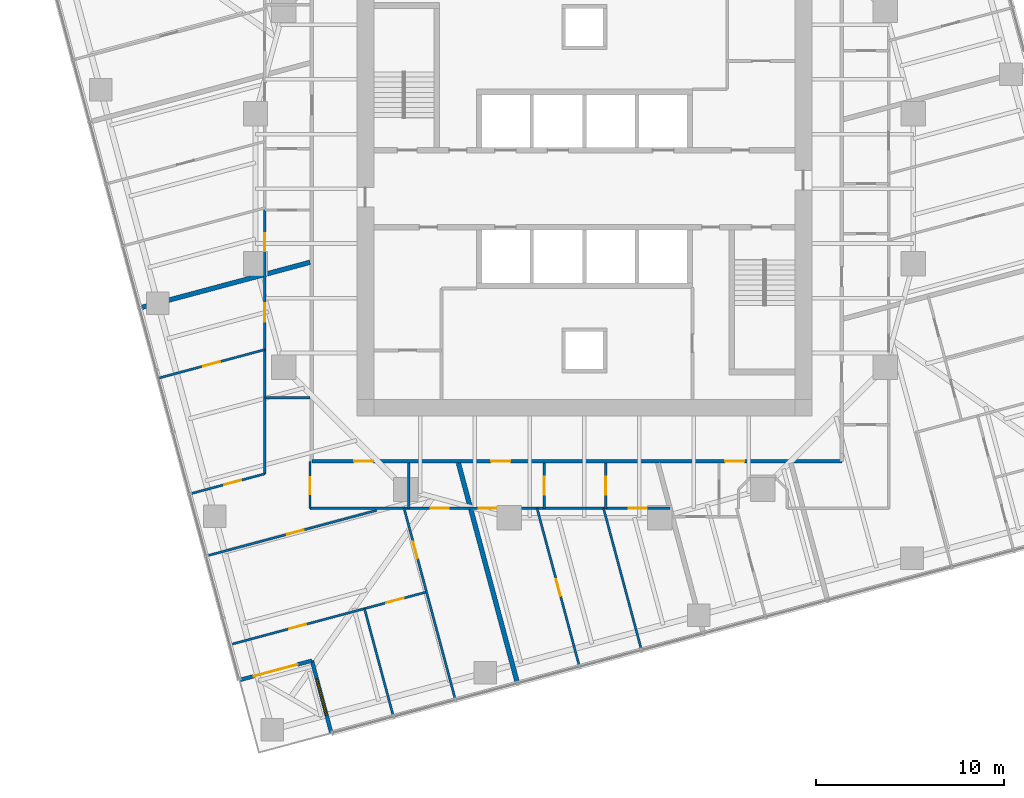
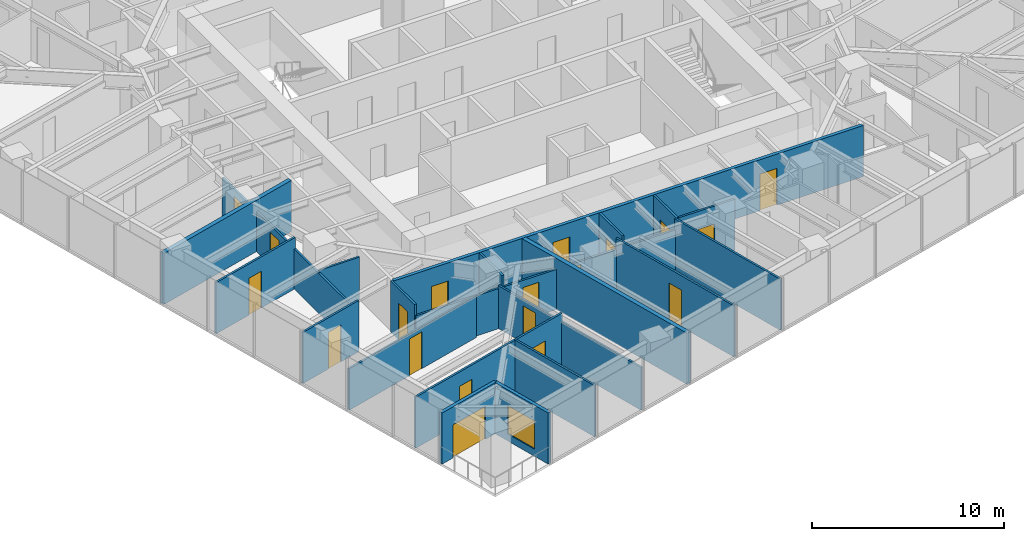
# One storey, part 8 of 14: 21 walls, 19 doors, 1 window, 20 openings.
"""IFC4 building model written with IfcOpenShell, lengths in metres."""

from ifc_helpers import new_model, si_unit, direction, frame, frame_2d, origin, place, context, subcontext, project, spatial, rectangle, extrude, material, layer, layer_set, type_object, element, fill, save


model = new_model("IFC4")

# Units and contexts
model_context = context("Model", 3, precision=1e-05, world=origin(), true_north=direction((0.0, 1.0)))
body_context = subcontext(model_context, "Body", "Model", "MODEL_VIEW")
ifc_project = project(units=[si_unit("LENGTHUNIT", "METRE"), si_unit("AREAUNIT", "SQUARE_METRE"), si_unit("VOLUMEUNIT", "CUBIC_METRE"), si_unit("PLANEANGLEUNIT", "RADIAN"), si_unit("MASSUNIT", "GRAM", prefix="KILO")], contexts=[model_context])

# Site, building, storey
site_placement = place(None, origin())
site = spatial("IfcSite", under=ifc_project, at=site_placement, CompositionType="ELEMENT")
building_placement = place(site_placement, origin())
building = spatial("IfcBuilding", under=site, at=building_placement, Name="Torsade Residences", CompositionType="ELEMENT")
storey_placement = place(building_placement, frame((0.0, 0.0, 128.60009765625)))
storey = spatial("IfcBuildingStorey", under=building, at=storey_placement, Name="L35", CompositionType="ELEMENT", Elevation=128.60009765625)

# Wall, openings, doors
ifc_material_1 = material(Name="Plasterboard on steel stud", Category="steel")
ifc_layer_1 = layer(ifc_material_1, 0.199951171875)
ifc_layer_set_1 = layer_set([ifc_layer_1], Name="Plasterboard on steel stud")
wall_type_1 = type_object("IfcWallType", Name="CORRIDOR WALL 200", PredefinedType="PARTITIONING", material=ifc_layer_set_1)
wall_1_placement = place(storey_placement, frame((25.5, 15.5, 0.0), z_axis=(0.0, 0.0, 1.0), x_axis=(1.0, 0.0, 0.0)))
wall_1 = element("IfcWall", 1, at=wall_1_placement, inside=storey, type_object=wall_type_1, Name="Corridor wall L35", PredefinedType="PARTITIONING", context=body_context, shape_type="SweptSolid", body=[
    extrude(rectangle(XDim=28.199951171875, YDim=0.199951171875, at=frame_2d((14.10009765625, 0.0))), origin(), (0.0, 0.0, 1.0), 3.25),
])
opening_1_placement = place(wall_1_placement, frame((2.244140625, 0.0, 0.0)))
opening_1 = element("IfcOpeningElement", 2, at=opening_1_placement, cuts=wall_1, Name="Opening D01L", PredefinedType="OPENING", context=body_context, shape_type="SweptSolid", body=[
    extrude(rectangle(XDim=1.02001953125, YDim=2.10009765625, at=frame_2d((0.510009765625, 1.050048828125))), frame((0.0, 0.10986328125, 0.0), z_axis=(0.0, -1.0, 0.0), x_axis=(1.0, 0.0, 0.0)), (0.0, 0.0, 1.0), 0.219970703125),
])
opening_2_placement = place(wall_1_placement, frame((9.542236328125, 0.0, 0.0)))
opening_2 = element("IfcOpeningElement", 3, at=opening_2_placement, cuts=wall_1, Name="Opening D01", PredefinedType="OPENING", context=body_context, shape_type="SweptSolid", body=[
    extrude(rectangle(XDim=1.02001953125, YDim=2.340087890625, at=frame_2d((0.510009765625, 1.169921875))), frame((0.0, 0.10986328125, 0.0), z_axis=(0.0, -1.0, 0.0), x_axis=(1.0, 0.0, 0.0)), (0.0, 0.0, 1.0), 0.219970703125),
])
opening_3_placement = place(wall_1_placement, frame((21.994384765625, 0.0, 0.0)))
opening_3 = element("IfcOpeningElement", 4, at=opening_3_placement, cuts=wall_1, Name="Opening D01", PredefinedType="OPENING", context=body_context, shape_type="SweptSolid", body=[
    extrude(rectangle(XDim=1.02001953125, YDim=2.340087890625, at=frame_2d((0.510009765625, 1.169921875))), frame((0.0, 0.10986328125, 0.0), z_axis=(0.0, -1.0, 0.0), x_axis=(1.0, 0.0, 0.0)), (0.0, 0.0, 1.0), 0.219970703125),
])
ifc_material_2 = material(Name="Solid-core timber fire door", Category="wood")
door_type_1 = type_object("IfcDoorType", Name="APARTMENT ENTRY DOOR 1020x2100", OperationType="NOTDEFINED", PredefinedType="DOOR", material=ifc_material_2)
door_1_placement = place(opening_1_placement, origin())
door_1 = element("IfcDoor", 5, at=door_1_placement, inside=storey, type_object=door_type_1, Name="Door Residential corridor to Kitchen and dining", OperationType="SINGLE_SWING_LEFT", OverallHeight=2.10009765625, OverallWidth=1.02001953125, PredefinedType="DOOR", context=body_context, shape_type="SweptSolid", body=[
    extrude(rectangle(XDim=1.02001953125, YDim=2.10009765625, at=frame_2d((0.510009765625, 1.050048828125))), frame((0.0, 0.02490234375, 0.0), z_axis=(0.0, -1.0, 0.0), x_axis=(1.0, 0.0, 0.0)), (0.0, 0.0, 1.0), 0.050048828125),
])
fill(opening_1, door_1)
ifc_material_3 = material(Name="Solid-core timber fire door", Category="wood")
door_type_2 = type_object("IfcDoorType", Name="APARTMENT ENTRY DOOR 1020x2340", OperationType="NOTDEFINED", PredefinedType="DOOR", material=ifc_material_3)
door_2_placement = place(opening_2_placement, origin())
door_2 = element("IfcDoor", 6, at=door_2_placement, inside=storey, type_object=door_type_2, Name="Door Residential corridor to Kitchen and dining", OperationType="SINGLE_SWING_LEFT", OverallHeight=2.340087890625, OverallWidth=1.02001953125, PredefinedType="DOOR", context=body_context, shape_type="SweptSolid", body=[
    extrude(rectangle(XDim=1.02001953125, YDim=2.340087890625, at=frame_2d((0.510009765625, 1.169921875))), frame((0.0, 0.02490234375, 0.0), z_axis=(0.0, -1.0, 0.0), x_axis=(1.0, 0.0, 0.0)), (0.0, 0.0, 1.0), 0.050048828125),
])
fill(opening_2, door_2)
door_3_placement = place(opening_3_placement, origin())
door_3 = element("IfcDoor", 7, at=door_3_placement, inside=storey, type_object=door_type_2, Name="Door Residential corridor to Kitchen and dining", OperationType="SINGLE_SWING_RIGHT", OverallHeight=2.340087890625, OverallWidth=1.02001953125, PredefinedType="DOOR", context=body_context, shape_type="SweptSolid", body=[
    extrude(rectangle(XDim=1.02001953125, YDim=2.340087890625, at=frame_2d((0.510009765625, 1.169921875))), frame((0.0, 0.02490234375, 0.0), z_axis=(0.0, -1.0, 0.0), x_axis=(1.0, 0.0, 0.0)), (0.0, 0.0, 1.0), 0.050048828125),
])
fill(opening_3, door_3)

# Wall
ifc_material_4 = material(Name="Plasterboard on steel stud", Category="steel")
ifc_layer_2 = layer(ifc_material_4, 0.1201171875)
ifc_layer_set_2 = layer_set([ifc_layer_2], Name="Plasterboard on steel stud")
wall_type_2 = type_object("IfcWallType", Name="PARTITION 120", PredefinedType="PARTITIONING", material=ifc_layer_set_2)
wall_2_placement = place(storey_placement, frame((30.658203125, 15.39990234375, 0.0), z_axis=(0.0, 0.0, 1.0), x_axis=(0.0, -1.0, 0.0)))
element("IfcWall", 8, at=wall_2_placement, inside=storey, type_object=wall_type_2, Name="Partition L35", PredefinedType="PARTITIONING", context=body_context, shape_type="SweptSolid", body=[
    extrude(rectangle(XDim=2.39990234375, YDim=0.1201171875, at=frame_2d((1.199951171875, 0.0))), origin(), (0.0, 0.0, 1.0), 3.25),
])

# Wall, openings, doors
wall_3_placement = place(storey_placement, frame((41.06982421875, 13.0, 0.0), z_axis=(0.0, 0.0, 1.0), x_axis=(-1.0, 0.0, 0.0)))
wall_3 = element("IfcWall", 9, at=wall_3_placement, inside=storey, type_object=wall_type_2, Name="Partition L35", PredefinedType="PARTITIONING", context=body_context, shape_type="SweptSolid", body=[
    extrude(rectangle(XDim=15.669921875, YDim=0.1201171875, at=frame_2d((7.8349609375, 0.0))), origin(), (0.0, 0.0, 1.0), 2.5498046875),
])
opening_4_placement = place(wall_3_placement, frame((5.771728515625, 0.0, 0.0)))
opening_4 = element("IfcOpeningElement", 10, at=opening_4_placement, cuts=wall_3, Name="Opening D02", PredefinedType="OPENING", context=body_context, shape_type="SweptSolid", body=[
    extrude(rectangle(XDim=0.919921875, YDim=2.340087890625, at=frame_2d((0.4599609375, 1.169921875))), frame((0.0, 0.070068359375, 0.0), z_axis=(0.0, -1.0, 0.0), x_axis=(1.0, 0.0, 0.0)), (0.0, 0.0, 1.0), 0.14013671875),
])
opening_5_placement = place(wall_3_placement, frame((8.288818359375, 0.0, 0.0)))
opening_5 = element("IfcOpeningElement", 11, at=opening_5_placement, cuts=wall_3, Name="Opening D05", PredefinedType="OPENING", context=body_context, shape_type="SweptSolid", body=[
    extrude(rectangle(XDim=0.9599609375, YDim=2.10009765625, at=frame_2d((0.47998046875, 1.050048828125))), frame((0.0, 0.070068359375, 0.0), z_axis=(0.0, -1.0, 0.0), x_axis=(1.0, 0.0, 0.0)), (0.0, 0.0, 1.0), 0.14013671875),
])
ifc_material_5 = material(Name="Hollow-core timber door in a steel cavity frame", Category="steel")
door_type_3 = type_object("IfcDoorType", Name="BATHROOM CAVITY SLIDING DOOR 960", OperationType="SLIDING_TO_LEFT", PredefinedType="DOOR", material=ifc_material_5)
door_4_placement = place(opening_5_placement, origin())
door_4 = element("IfcDoor", 12, at=door_4_placement, inside=storey, type_object=door_type_3, Name="Door Bedroom 2 to Ensuite", OperationType="SLIDING_TO_LEFT", OverallHeight=2.10009765625, OverallWidth=0.9599609375, PredefinedType="DOOR", context=body_context, shape_type="SweptSolid", body=[
    extrude(rectangle(XDim=0.9599609375, YDim=2.10009765625, at=frame_2d((0.47998046875, 1.050048828125))), frame((0.0, 0.02490234375, 0.0), z_axis=(0.0, -1.0, 0.0), x_axis=(1.0, 0.0, 0.0)), (0.0, 0.0, 1.0), 0.050048828125),
])
fill(opening_5, door_4)
ifc_material_6 = material(Name="Hollow-core timber door", Category="wood")
door_type_4 = type_object("IfcDoorType", Name="INTERNAL DOOR 920x2340", OperationType="NOTDEFINED", PredefinedType="DOOR", material=ifc_material_6)
door_5_placement = place(opening_4_placement, origin())
door_5 = element("IfcDoor", 13, at=door_5_placement, inside=storey, type_object=door_type_4, Name="Door Kitchen and dining to Living room", OperationType="SINGLE_SWING_LEFT", OverallHeight=2.340087890625, OverallWidth=0.919921875, PredefinedType="DOOR", context=body_context, shape_type="SweptSolid", body=[
    extrude(rectangle(XDim=0.919921875, YDim=2.340087890625, at=frame_2d((0.4599609375, 1.169921875))), frame((0.0, 0.02490234375, 0.0), z_axis=(0.0, -1.0, 0.0), x_axis=(1.0, 0.0, 0.0)), (0.0, 0.0, 1.0), 0.050048828125),
])
fill(opening_4, door_5)

# Wall, opening, door
wall_4_placement = place(storey_placement, frame((25.39990234375, 13.0, 0.0), z_axis=(0.0, 0.0, 1.0), x_axis=(0.0, 1.0, 0.0)))
wall_4 = element("IfcWall", 14, at=wall_4_placement, inside=storey, type_object=wall_type_2, Name="Partition L35", PredefinedType="PARTITIONING", context=body_context, shape_type="SweptSolid", body=[
    extrude(rectangle(XDim=2.5, YDim=0.1201171875, at=frame_2d((1.25, 0.0))), origin(), (0.0, 0.0, 1.0), 3.25),
])
opening_6_placement = place(wall_4_placement, frame((0.739990234375, 0.0, 0.0)))
opening_6 = element("IfcOpeningElement", 15, at=opening_6_placement, cuts=wall_4, Name="Opening D02", PredefinedType="OPENING", context=body_context, shape_type="SweptSolid", body=[
    extrude(rectangle(XDim=0.919921875, YDim=2.340087890625, at=frame_2d((0.4599609375, 1.169921875))), frame((0.0, 0.070068359375, 0.0), z_axis=(0.0, -1.0, 0.0), x_axis=(1.0, 0.0, 0.0)), (0.0, 0.0, 1.0), 0.14013671875),
])
door_6_placement = place(opening_6_placement, origin())
door_6 = element("IfcDoor", 16, at=door_6_placement, inside=storey, type_object=door_type_4, Name="Door Kitchen and dining to Media room", OperationType="SINGLE_SWING_LEFT", OverallHeight=2.340087890625, OverallWidth=0.919921875, PredefinedType="DOOR", context=body_context, shape_type="SweptSolid", body=[
    extrude(rectangle(XDim=0.919921875, YDim=2.340087890625, at=frame_2d((0.4599609375, 1.169921875))), frame((0.0, 0.02490234375, 0.0), z_axis=(0.0, -1.0, 0.0), x_axis=(1.0, 0.0, 0.0)), (0.0, 0.0, 1.0), 0.050048828125),
])
fill(opening_6, door_6)

# Wall, openings, doors
wall_5_placement = place(storey_placement, frame((23.0, 14.833251953125, 0.0), z_axis=(0.0, 0.0, 1.0), x_axis=(0.0, 1.0, 0.0)))
wall_5 = element("IfcWall", 17, at=wall_5_placement, inside=storey, type_object=wall_type_2, Name="Partition L35", PredefinedType="PARTITIONING", context=body_context, shape_type="SweptSolid", body=[
    extrude(rectangle(XDim=14.034423828125, YDim=0.1201171875, at=frame_2d((7.01708984375, 0.0))), origin(), (0.0, 0.0, 1.0), 2.5498046875),
])
opening_7_placement = place(wall_5_placement, frame((11.843017578125, 0.0, 0.0)))
opening_7 = element("IfcOpeningElement", 18, at=opening_7_placement, cuts=wall_5, Name="Opening D05", PredefinedType="OPENING", context=body_context, shape_type="SweptSolid", body=[
    extrude(rectangle(XDim=0.9599609375, YDim=2.10009765625, at=frame_2d((0.47998046875, 1.050048828125))), frame((0.0, 0.070068359375, 0.0), z_axis=(0.0, -1.0, 0.0), x_axis=(1.0, 0.0, 0.0)), (0.0, 0.0, 1.0), 0.14013671875),
])
opening_8_placement = place(wall_5_placement, frame((8.10400390625, 0.0, 0.0)))
opening_8 = element("IfcOpeningElement", 19, at=opening_8_placement, cuts=wall_5, Name="Opening D05", PredefinedType="OPENING", context=body_context, shape_type="SweptSolid", body=[
    extrude(rectangle(XDim=0.9599609375, YDim=2.10009765625, at=frame_2d((0.47998046875, 1.050048828125))), frame((0.0, 0.070068359375, 0.0), z_axis=(0.0, -1.0, 0.0), x_axis=(1.0, 0.0, 0.0)), (0.0, 0.0, 1.0), 0.14013671875),
])
door_7_placement = place(opening_7_placement, origin())
door_7 = element("IfcDoor", 20, at=door_7_placement, inside=storey, type_object=door_type_3, Name="Door Ensuite to Bedroom 2", OperationType="SLIDING_TO_LEFT", OverallHeight=2.10009765625, OverallWidth=0.9599609375, PredefinedType="DOOR", context=body_context, shape_type="SweptSolid", body=[
    extrude(rectangle(XDim=0.9599609375, YDim=2.10009765625, at=frame_2d((0.47998046875, 1.050048828125))), frame((0.0, 0.02490234375, 0.0), z_axis=(0.0, -1.0, 0.0), x_axis=(1.0, 0.0, 0.0)), (0.0, 0.0, 1.0), 0.050048828125),
])
fill(opening_7, door_7)
door_8_placement = place(opening_8_placement, origin())
door_8 = element("IfcDoor", 21, at=door_8_placement, inside=storey, type_object=door_type_3, Name="Door Study to Ensuite 2", OperationType="SLIDING_TO_LEFT", OverallHeight=2.10009765625, OverallWidth=0.9599609375, PredefinedType="DOOR", context=body_context, shape_type="SweptSolid", body=[
    extrude(rectangle(XDim=0.9599609375, YDim=2.10009765625, at=frame_2d((0.47998046875, 1.050048828125))), frame((0.0, 0.02490234375, 0.0), z_axis=(0.0, -1.0, 0.0), x_axis=(1.0, 0.0, 0.0)), (0.0, 0.0, 1.0), 0.050048828125),
])
fill(opening_8, door_8)

# Wall
wall_6_placement = place(storey_placement, frame((25.39990234375, 18.88037109375, 0.0), z_axis=(0.0, 0.0, 1.0), x_axis=(-1.0, 0.0, 0.0)))
element("IfcWall", 22, at=wall_6_placement, inside=storey, type_object=wall_type_2, Name="Partition L35", PredefinedType="PARTITIONING", context=body_context, shape_type="SweptSolid", body=[
    extrude(rectangle(XDim=2.39990234375, YDim=0.1201171875, at=frame_2d((1.199951171875, 0.0))), origin(), (0.0, 0.0, 1.0), 2.721923828125),
])

# Wall, opening, door
wall_7_placement = place(storey_placement, frame((30.40625, 13.0, 0.0), z_axis=(0.0, 0.0, 1.0), x_axis=(0.258819200315, -0.9659257847, 0.0)))
wall_7 = element("IfcWall", 23, at=wall_7_placement, inside=storey, type_object=wall_type_2, Name="Partition L35", PredefinedType="PARTITIONING", context=body_context, shape_type="SweptSolid", body=[
    extrude(rectangle(XDim=10.5224609375, YDim=0.1201171875, at=frame_2d((5.26123046875, 0.0))), origin(), (0.0, 0.0, 1.0), 2.721923828125),
])
opening_9_placement = place(wall_7_placement, frame((1.846435546875, 0.0, 0.0)))
opening_9 = element("IfcOpeningElement", 24, at=opening_9_placement, cuts=wall_7, Name="Opening D02", PredefinedType="OPENING", context=body_context, shape_type="SweptSolid", body=[
    extrude(rectangle(XDim=0.919921875, YDim=2.340087890625, at=frame_2d((0.4599609375, 1.169921875))), frame((0.0, 0.070068359375, 0.0), z_axis=(0.0, -1.0, 0.0), x_axis=(1.0, 0.0, 0.0)), (0.0, 0.0, 1.0), 0.14013671875),
])
door_9_placement = place(opening_9_placement, origin())
door_9 = element("IfcDoor", 25, at=door_9_placement, inside=storey, type_object=door_type_4, Name="Door Living room to Bedroom 2", OperationType="SINGLE_SWING_LEFT", OverallHeight=2.340087890625, OverallWidth=0.919921875, PredefinedType="DOOR", context=body_context, shape_type="SweptSolid", body=[
    extrude(rectangle(XDim=0.919921875, YDim=2.340087890625, at=frame_2d((0.4599609375, 1.169921875))), frame((0.0, 0.02490234375, 0.0), z_axis=(0.0, -1.0, 0.0), x_axis=(1.0, 0.0, 0.0)), (0.0, 0.0, 1.0), 0.050048828125),
])
fill(opening_9, door_9)

# Wall, openings, doors
wall_8_placement = place(storey_placement, frame((31.60009765625, 8.54443359375, 0.0), z_axis=(0.0, 0.0, 1.0), x_axis=(-0.965927151587, -0.258814098973, 0.0)))
wall_8 = element("IfcWall", 26, at=wall_8_placement, inside=storey, type_object=wall_type_2, Name="Partition L35", PredefinedType="PARTITIONING", context=body_context, shape_type="SweptSolid", body=[
    extrude(rectangle(XDim=10.793212890625, YDim=0.1201171875, at=frame_2d((5.396484375, 0.0))), origin(), (0.0, 0.0, 1.0), 3.25),
])
opening_10_placement = place(wall_8_placement, frame((6.639892578125, 0.0, 0.0)))
opening_10 = element("IfcOpeningElement", 27, at=opening_10_placement, cuts=wall_8, Name="Opening D02", PredefinedType="OPENING", context=body_context, shape_type="SweptSolid", body=[
    extrude(rectangle(XDim=0.919921875, YDim=2.340087890625, at=frame_2d((0.4599609375, 1.169921875))), frame((0.0, 0.070068359375, 0.0), z_axis=(0.0, -1.0, 0.0), x_axis=(1.0, 0.0, 0.0)), (0.0, 0.0, 1.0), 0.14013671875),
])
opening_11_placement = place(wall_8_placement, frame((1.25341796875, 0.0, 0.0)))
opening_11 = element("IfcOpeningElement", 28, at=opening_11_placement, cuts=wall_8, Name="Opening D05", PredefinedType="OPENING", context=body_context, shape_type="SweptSolid", body=[
    extrude(rectangle(XDim=0.9599609375, YDim=2.10009765625, at=frame_2d((0.47998046875, 1.050048828125))), frame((0.0, 0.070068359375, 0.0), z_axis=(0.0, -1.0, 0.0), x_axis=(1.0, 0.0, 0.0)), (0.0, 0.0, 1.0), 0.14013671875),
])
door_10_placement = place(opening_11_placement, origin())
door_10 = element("IfcDoor", 29, at=door_10_placement, inside=storey, type_object=door_type_3, Name="Door Living room to Bathroom", OperationType="SLIDING_TO_LEFT", OverallHeight=2.10009765625, OverallWidth=0.9599609375, PredefinedType="DOOR", context=body_context, shape_type="SweptSolid", body=[
    extrude(rectangle(XDim=0.9599609375, YDim=2.10009765625, at=frame_2d((0.47998046875, 1.050048828125))), frame((0.0, 0.02490234375, 0.0), z_axis=(0.0, -1.0, 0.0), x_axis=(1.0, 0.0, 0.0)), (0.0, 0.0, 1.0), 0.050048828125),
])
fill(opening_11, door_10)
door_11_placement = place(opening_10_placement, origin())
door_11 = element("IfcDoor", 30, at=door_11_placement, inside=storey, type_object=door_type_4, Name="Door Living room to Bedroom 3", OperationType="SINGLE_SWING_LEFT", OverallHeight=2.340087890625, OverallWidth=0.919921875, PredefinedType="DOOR", context=body_context, shape_type="SweptSolid", body=[
    extrude(rectangle(XDim=0.919921875, YDim=2.340087890625, at=frame_2d((0.4599609375, 1.169921875))), frame((0.0, 0.02490234375, 0.0), z_axis=(0.0, -1.0, 0.0), x_axis=(1.0, 0.0, 0.0)), (0.0, 0.0, 1.0), 0.050048828125),
])
fill(opening_10, door_11)

# Wall, opening, door
wall_9_placement = place(storey_placement, frame((19.91064453125, 10.46826171875, 0.0), z_axis=(0.0, 0.0, 1.0), x_axis=(0.965927203676, 0.25881390457, 0.0)))
wall_9 = element("IfcWall", 31, at=wall_9_placement, inside=storey, type_object=wall_type_2, Name="Partition L35", PredefinedType="PARTITIONING", context=body_context, shape_type="SweptSolid", body=[
    extrude(rectangle(XDim=9.356689453125, YDim=0.1201171875, at=frame_2d((4.67822265625, 0.0))), origin(), (0.0, 0.0, 1.0), 2.637939453125),
])
opening_12_placement = place(wall_9_placement, frame((4.410888671875, 0.0, 0.0)))
opening_12 = element("IfcOpeningElement", 32, at=opening_12_placement, cuts=wall_9, Name="Opening D02", PredefinedType="OPENING", context=body_context, shape_type="SweptSolid", body=[
    extrude(rectangle(XDim=0.919921875, YDim=2.340087890625, at=frame_2d((0.4599609375, 1.169921875))), frame((0.0, 0.070068359375, 0.0), z_axis=(0.0, -1.0, 0.0), x_axis=(1.0, 0.0, 0.0)), (0.0, 0.0, 1.0), 0.14013671875),
])
door_12_placement = place(opening_12_placement, origin())
door_12 = element("IfcDoor", 33, at=door_12_placement, inside=storey, type_object=door_type_4, Name="Door Media room to Living room", OperationType="SINGLE_SWING_LEFT", OverallHeight=2.340087890625, OverallWidth=0.919921875, PredefinedType="DOOR", context=body_context, shape_type="SweptSolid", body=[
    extrude(rectangle(XDim=0.919921875, YDim=2.340087890625, at=frame_2d((0.4599609375, 1.169921875))), frame((0.0, 0.02490234375, 0.0), z_axis=(0.0, -1.0, 0.0), x_axis=(1.0, 0.0, 0.0)), (0.0, 0.0, 1.0), 0.050048828125),
])
fill(opening_12, door_12)

wall_10_placement = place(storey_placement, frame((17.374267578125, 19.934326171875, 0.0), z_axis=(0.0, 0.0, 1.0), x_axis=(0.965929528031, 0.258805229617, 0.0)))
wall_10 = element("IfcWall", 34, at=wall_10_placement, inside=storey, type_object=wall_type_2, Name="Partition L35", PredefinedType="PARTITIONING", context=body_context, shape_type="SweptSolid", body=[
    extrude(rectangle(XDim=5.82421875, YDim=0.1201171875, at=frame_2d((2.912109375, 0.0))), origin(), (0.0, 0.0, 1.0), 3.25),
])
opening_13_placement = place(wall_10_placement, frame((2.43212890625, 0.0, 0.0)))
opening_13 = element("IfcOpeningElement", 35, at=opening_13_placement, cuts=wall_10, Name="Opening D02", PredefinedType="OPENING", context=body_context, shape_type="SweptSolid", body=[
    extrude(rectangle(XDim=0.919921875, YDim=2.340087890625, at=frame_2d((0.4599609375, 1.169921875))), frame((0.0, 0.070068359375, 0.0), z_axis=(0.0, -1.0, 0.0), x_axis=(1.0, 0.0, 0.0)), (0.0, 0.0, 1.0), 0.14013671875),
])
door_13_placement = place(opening_13_placement, origin())
door_13 = element("IfcDoor", 36, at=door_13_placement, inside=storey, type_object=door_type_4, Name="Door Bedroom 1 to Study", OperationType="SINGLE_SWING_RIGHT", OverallHeight=2.340087890625, OverallWidth=0.919921875, PredefinedType="DOOR", context=body_context, shape_type="SweptSolid", body=[
    extrude(rectangle(XDim=0.919921875, YDim=2.340087890625, at=frame_2d((0.4599609375, 1.169921875))), frame((0.0, 0.02490234375, 0.0), z_axis=(0.0, -1.0, 0.0), x_axis=(1.0, 0.0, 0.0)), (0.0, 0.0, 1.0), 0.050048828125),
])
fill(opening_13, door_13)

wall_11_placement = place(storey_placement, frame((23.0, 14.833251953125, 0.0), z_axis=(0.0, 0.0, 1.0), x_axis=(-0.965927919062, -0.258811234642, 0.0)))
wall_11 = element("IfcWall", 37, at=wall_11_placement, inside=storey, type_object=wall_type_2, Name="Partition L35", PredefinedType="PARTITIONING", context=body_context, shape_type="SweptSolid", body=[
    extrude(rectangle(XDim=4.11376953125, YDim=0.1201171875, at=frame_2d((2.056884765625, 0.0))), origin(), (0.0, 0.0, 1.0), 3.25),
])
opening_14_placement = place(wall_11_placement, frame((1.31689453125, 0.0, 0.0)))
opening_14 = element("IfcOpeningElement", 38, at=opening_14_placement, cuts=wall_11, Name="Opening D02", PredefinedType="OPENING", context=body_context, shape_type="SweptSolid", body=[
    extrude(rectangle(XDim=0.919921875, YDim=2.340087890625, at=frame_2d((0.4599609375, 1.169921875))), frame((0.0, 0.070068359375, 0.0), z_axis=(0.0, -1.0, 0.0), x_axis=(1.0, 0.0, 0.0)), (0.0, 0.0, 1.0), 0.14013671875),
])
door_14_placement = place(opening_14_placement, origin())
door_14 = element("IfcDoor", 39, at=door_14_placement, inside=storey, type_object=door_type_4, Name="Door Media room to Bedroom 1", OperationType="SINGLE_SWING_RIGHT", OverallHeight=2.340087890625, OverallWidth=0.919921875, PredefinedType="DOOR", context=body_context, shape_type="SweptSolid", body=[
    extrude(rectangle(XDim=0.919921875, YDim=2.340087890625, at=frame_2d((0.4599609375, 1.169921875))), frame((0.0, 0.02490234375, 0.0), z_axis=(0.0, -1.0, 0.0), x_axis=(1.0, 0.0, 0.0)), (0.0, 0.0, 1.0), 0.050048828125),
])
fill(opening_14, door_14)

# Wall
wall_12_placement = place(storey_placement, frame((28.300048828125, 7.66015625, 0.0), z_axis=(0.0, 0.0, 1.0), x_axis=(0.25882212607, -0.965925000741, 0.0)))
element("IfcWall", 40, at=wall_12_placement, inside=storey, type_object=wall_type_2, Name="Partition L35", PredefinedType="PARTITIONING", context=body_context, shape_type="SweptSolid", body=[
    extrude(rectangle(XDim=5.90966796875, YDim=0.1201171875, at=frame_2d((2.954833984375, 0.0))), origin(), (0.0, 0.0, 1.0), 3.25),
])

# Wall, opening, door
wall_13_placement = place(storey_placement, frame((37.8662109375, 15.39990234375, 0.0), z_axis=(0.0, 0.0, 1.0), x_axis=(0.0, -1.0, 0.0)))
wall_13 = element("IfcWall", 41, at=wall_13_placement, inside=storey, type_object=wall_type_2, Name="Partition L35", PredefinedType="PARTITIONING", context=body_context, shape_type="SweptSolid", body=[
    extrude(rectangle(XDim=2.39990234375, YDim=0.1201171875, at=frame_2d((1.199951171875, 0.0))), origin(), (0.0, 0.0, 1.0), 3.25),
])
opening_15_placement = place(wall_13_placement, frame((0.719970703125, 0.0, 0.0)))
opening_15 = element("IfcOpeningElement", 42, at=opening_15_placement, cuts=wall_13, Name="Opening D05", PredefinedType="OPENING", context=body_context, shape_type="SweptSolid", body=[
    extrude(rectangle(XDim=0.9599609375, YDim=2.10009765625, at=frame_2d((0.47998046875, 1.050048828125))), frame((0.0, 0.070068359375, 0.0), z_axis=(0.0, -1.0, 0.0), x_axis=(1.0, 0.0, 0.0)), (0.0, 0.0, 1.0), 0.14013671875),
])
door_15_placement = place(opening_15_placement, origin())
door_15 = element("IfcDoor", 43, at=door_15_placement, inside=storey, type_object=door_type_3, Name="Door Kitchen and dining to Bathroom", OperationType="SLIDING_TO_LEFT", OverallHeight=2.10009765625, OverallWidth=0.9599609375, PredefinedType="DOOR", context=body_context, shape_type="SweptSolid", body=[
    extrude(rectangle(XDim=0.9599609375, YDim=2.10009765625, at=frame_2d((0.47998046875, 1.050048828125))), frame((0.0, 0.02490234375, 0.0), z_axis=(0.0, -1.0, 0.0), x_axis=(1.0, 0.0, 0.0)), (0.0, 0.0, 1.0), 0.050048828125),
])
fill(opening_15, door_15)

wall_14_placement = place(storey_placement, frame((41.13232421875, 15.39990234375, 0.0), z_axis=(0.0, 0.0, 1.0), x_axis=(0.0, -1.0, 0.0)))
wall_14 = element("IfcWall", 44, at=wall_14_placement, inside=storey, type_object=wall_type_2, Name="Partition L35", PredefinedType="PARTITIONING", context=body_context, shape_type="SweptSolid", body=[
    extrude(rectangle(XDim=2.39990234375, YDim=0.1201171875, at=frame_2d((1.199951171875, 0.0))), origin(), (0.0, 0.0, 1.0), 3.25),
])
opening_16_placement = place(wall_14_placement, frame((0.719970703125, 0.0, 0.0)))
opening_16 = element("IfcOpeningElement", 45, at=opening_16_placement, cuts=wall_14, Name="Opening D05", PredefinedType="OPENING", context=body_context, shape_type="SweptSolid", body=[
    extrude(rectangle(XDim=0.9599609375, YDim=2.10009765625, at=frame_2d((0.47998046875, 1.050048828125))), frame((0.0, 0.070068359375, 0.0), z_axis=(0.0, -1.0, 0.0), x_axis=(1.0, 0.0, 0.0)), (0.0, 0.0, 1.0), 0.14013671875),
])
door_16_placement = place(opening_16_placement, origin())
door_16 = element("IfcDoor", 46, at=door_16_placement, inside=storey, type_object=door_type_3, Name="Door Bathroom to Ensuite", OperationType="SLIDING_TO_LEFT", OverallHeight=2.10009765625, OverallWidth=0.9599609375, PredefinedType="DOOR", context=body_context, shape_type="SweptSolid", body=[
    extrude(rectangle(XDim=0.9599609375, YDim=2.10009765625, at=frame_2d((0.47998046875, 1.050048828125))), frame((0.0, 0.02490234375, 0.0), z_axis=(0.0, -1.0, 0.0), x_axis=(1.0, 0.0, 0.0)), (0.0, 0.0, 1.0), 0.050048828125),
])
fill(opening_16, door_16)

wall_15_placement = place(storey_placement, frame((44.55517578125, 13.0, 0.0), z_axis=(0.0, 0.0, 1.0), x_axis=(-1.0, 0.0, 0.0)))
wall_15 = element("IfcWall", 47, at=wall_15_placement, inside=storey, type_object=wall_type_2, Name="Partition L35", PredefinedType="PARTITIONING", context=body_context, shape_type="SweptSolid", body=[
    extrude(rectangle(XDim=3.4228515625, YDim=0.1201171875, at=frame_2d((1.71142578125, 0.0))), origin(), (0.0, 0.0, 1.0), 3.25),
])
opening_17_placement = place(wall_15_placement, frame((1.2314453125, 0.0, 0.0)))
opening_17 = element("IfcOpeningElement", 48, at=opening_17_placement, cuts=wall_15, Name="Opening D05", PredefinedType="OPENING", context=body_context, shape_type="SweptSolid", body=[
    extrude(rectangle(XDim=0.9599609375, YDim=2.10009765625, at=frame_2d((0.47998046875, 1.050048828125))), frame((0.0, 0.070068359375, 0.0), z_axis=(0.0, -1.0, 0.0), x_axis=(1.0, 0.0, 0.0)), (0.0, 0.0, 1.0), 0.14013671875),
])
door_17_placement = place(opening_17_placement, origin())
door_17 = element("IfcDoor", 49, at=door_17_placement, inside=storey, type_object=door_type_3, Name="Door Ensuite to Bedroom 2", OperationType="SLIDING_TO_LEFT", OverallHeight=2.10009765625, OverallWidth=0.9599609375, PredefinedType="DOOR", context=body_context, shape_type="SweptSolid", body=[
    extrude(rectangle(XDim=0.9599609375, YDim=2.10009765625, at=frame_2d((0.47998046875, 1.050048828125))), frame((0.0, 0.02490234375, 0.0), z_axis=(0.0, -1.0, 0.0), x_axis=(1.0, 0.0, 0.0)), (0.0, 0.0, 1.0), 0.050048828125),
])
fill(opening_17, door_17)

wall_16_placement = place(storey_placement, frame((37.480712890625, 13.0, 0.0), z_axis=(0.0, 0.0, 1.0), x_axis=(0.258819860698, -0.965925607751, 0.0)))
wall_16 = element("IfcWall", 50, at=wall_16_placement, inside=storey, type_object=wall_type_2, Name="Partition L35", PredefinedType="PARTITIONING", context=body_context, shape_type="SweptSolid", body=[
    extrude(rectangle(XDim=8.69140625, YDim=0.1201171875, at=frame_2d((4.345703125, 0.0))), origin(), (0.0, 0.0, 1.0), 3.25),
])
opening_18_placement = place(wall_16_placement, frame((3.90576171875, 0.0, 0.0)))
opening_18 = element("IfcOpeningElement", 51, at=opening_18_placement, cuts=wall_16, Name="Opening D02", PredefinedType="OPENING", context=body_context, shape_type="SweptSolid", body=[
    extrude(rectangle(XDim=0.919921875, YDim=2.340087890625, at=frame_2d((0.4599609375, 1.169921875))), frame((0.0, 0.070068359375, 0.0), z_axis=(0.0, -1.0, 0.0), x_axis=(1.0, 0.0, 0.0)), (0.0, 0.0, 1.0), 0.14013671875),
])
door_18_placement = place(opening_18_placement, origin())
door_18 = element("IfcDoor", 52, at=door_18_placement, inside=storey, type_object=door_type_4, Name="Door Living room to Bedroom 1", OperationType="SINGLE_SWING_LEFT", OverallHeight=2.340087890625, OverallWidth=0.919921875, PredefinedType="DOOR", context=body_context, shape_type="SweptSolid", body=[
    extrude(rectangle(XDim=0.919921875, YDim=2.340087890625, at=frame_2d((0.4599609375, 1.169921875))), frame((0.0, 0.02490234375, 0.0), z_axis=(0.0, -1.0, 0.0), x_axis=(1.0, 0.0, 0.0)), (0.0, 0.0, 1.0), 0.050048828125),
])
fill(opening_18, door_18)

# Walls
wall_17_placement = place(storey_placement, frame((41.01806640625, 13.0, 0.0), z_axis=(0.0, 0.0, 1.0), x_axis=(0.258813509689, -0.965927309482, 0.0)))
element("IfcWall", 53, at=wall_17_placement, inside=storey, type_object=wall_type_2, Name="Partition L35", PredefinedType="PARTITIONING", context=body_context, shape_type="SweptSolid", body=[
    extrude(rectangle(XDim=7.775634765625, YDim=0.1201171875, at=frame_2d((3.8876953125, 0.0))), origin(), (0.0, 0.0, 1.0), 3.25),
])
ifc_material_7 = material(Name="Masonry-lined stud party wall", Category="masonry")
ifc_layer_3 = layer(ifc_material_7, 0.25)
ifc_layer_set_3 = layer_set([ifc_layer_3], Name="Masonry-lined stud party wall")
wall_type_3 = type_object("IfcWallType", Name="PARTY WALL 250", PredefinedType="PARTITIONING", material=ifc_layer_set_3)
wall_18_placement = place(storey_placement, frame((36.4404296875, 3.681884765625, 0.0), z_axis=(0.0, 0.0, 1.0), x_axis=(-0.258824223352, 0.965924438766, 0.0)))
element("IfcWall", 54, at=wall_18_placement, inside=storey, type_object=wall_type_3, Name="Party wall L35", PredefinedType="PARTITIONING", context=body_context, shape_type="SweptSolid", body=[
    extrude(rectangle(XDim=12.137939453125, YDim=0.25, at=frame_2d((6.06884765625, 0.0))), origin(), (0.0, 0.0, 1.0), 3.25),
])
wall_19_placement = place(storey_placement, frame((16.334716796875, 23.658935546875, 0.0), z_axis=(0.0, 0.0, 1.0), x_axis=(0.965927049013, 0.258814481793, 0.0)))
element("IfcWall", 55, at=wall_19_placement, inside=storey, type_object=wall_type_3, Name="Party wall L35", PredefinedType="PARTITIONING", context=body_context, shape_type="SweptSolid", body=[
    extrude(rectangle(XDim=9.3916015625, YDim=0.25, at=frame_2d((4.69580078125, 0.0))), origin(), (0.0, 0.0, 1.0), 3.25),
])

# Wall, opening, door
ifc_material_8 = material(Name="Stone-faced precast concrete 40 MPa panel", Category="masonry")
ifc_layer_4 = layer(ifc_material_8, 0.199951171875)
ifc_layer_set_4 = layer_set([ifc_layer_4], Name="Stone-faced precast concrete 40 MPa panel")
wall_type_4 = type_object("IfcWallType", Name="TERRACE WALL 200", PredefinedType="SOLIDWALL", material=ifc_layer_set_4)
wall_20_placement = place(storey_placement, frame((21.640625, 3.857421875, 0.0), z_axis=(0.0, 0.0, 1.0), x_axis=(0.965919172068, 0.258843877716, 0.0)))
wall_20 = element("IfcWall", 56, at=wall_20_placement, inside=storey, type_object=wall_type_4, Name="Terrace wall L35 11", PredefinedType="SOLIDWALL", context=body_context, shape_type="SweptSolid", body=[
    extrude(rectangle(XDim=4.0, YDim=0.199951171875, at=frame_2d((2.0, 0.0))), origin(), (0.0, 0.0, 1.0), 3.25),
])
opening_19_placement = place(wall_20_placement, frame((0.800048828125, 0.0, 0.0)))
opening_19 = element("IfcOpeningElement", 57, at=opening_19_placement, cuts=wall_20, Name="Opening D10A", PredefinedType="OPENING", context=body_context, shape_type="SweptSolid", body=[
    extrude(rectangle(XDim=2.39990234375, YDim=2.10009765625, at=frame_2d((1.199951171875, 1.050048828125))), frame((0.0, 0.10986328125, 0.0), z_axis=(0.0, -1.0, 0.0), x_axis=(1.0, 0.0, 0.0)), (0.0, 0.0, 1.0), 0.219970703125),
])
ifc_material_9 = material(Name="Aluminium-framed glass door", Category="aluminium")
door_type_5 = type_object("IfcDoorType", Name="TERRACE SLIDING DOOR 2400x2100", OperationType="SLIDING_TO_LEFT", PredefinedType="DOOR", material=ifc_material_9)
door_19_placement = place(opening_19_placement, origin())
door_19 = element("IfcDoor", 58, at=door_19_placement, inside=storey, type_object=door_type_5, Name="Terrace door L35 11", OperationType="SLIDING_TO_LEFT", OverallHeight=2.10009765625, OverallWidth=2.39990234375, PredefinedType="DOOR", context=body_context, shape_type="SweptSolid", body=[
    extrude(rectangle(XDim=2.39990234375, YDim=2.10009765625, at=frame_2d((1.199951171875, 1.050048828125))), frame((0.0, 0.02490234375, 0.0), z_axis=(0.0, -1.0, 0.0), x_axis=(1.0, 0.0, 0.0)), (0.0, 0.0, 1.0), 0.050048828125),
])
fill(opening_19, door_19)

# Wall, opening, window
wall_21_placement = place(storey_placement, frame((25.50439453125, 4.892822265625, 0.0), z_axis=(0.0, 0.0, 1.0), x_axis=(0.258786931944, -0.965934430412, 0.0)))
wall_21 = element("IfcWall", 59, at=wall_21_placement, inside=storey, type_object=wall_type_4, Name="Terrace wall L35 12", PredefinedType="SOLIDWALL", context=body_context, shape_type="SweptSolid", body=[
    extrude(rectangle(XDim=4.0, YDim=0.199951171875, at=frame_2d((2.0, 0.0))), origin(), (0.0, 0.0, 1.0), 3.25),
])
opening_20_placement = place(wall_21_placement, frame((1.0, 0.0, 0.449951171875)))
opening_20 = element("IfcOpeningElement", 60, at=opening_20_placement, cuts=wall_21, Name="Opening W1B", PredefinedType="OPENING", context=body_context, shape_type="SweptSolid", body=[
    extrude(rectangle(XDim=2.0, YDim=1.800048828125, at=frame_2d((1.0, 0.89990234375))), frame((0.0, 0.10986328125, 0.0), z_axis=(0.0, -1.0, 0.0), x_axis=(1.0, 0.0, 0.0)), (0.0, 0.0, 1.0), 0.219970703125),
])
ifc_material_10 = material(Name="Aluminium-framed glass window", Category="aluminium")
window_type = type_object("IfcWindowType", Name="TERRACE WINDOW 2000x1800", PartitioningType="SINGLE_PANEL", PredefinedType="WINDOW", material=ifc_material_10)
window_placement = place(opening_20_placement, origin())
window = element("IfcWindow", 61, at=window_placement, inside=storey, type_object=window_type, Name="Terrace window L35 12", OverallHeight=1.800048828125, OverallWidth=2.0, PartitioningType="SINGLE_PANEL", PredefinedType="WINDOW", context=body_context, shape_type="SweptSolid", body=[
    extrude(rectangle(XDim=2.0, YDim=1.800048828125, at=frame_2d((1.0, 0.89990234375))), frame((0.0, 0.030029296875, 0.0), z_axis=(0.0, -1.0, 0.0), x_axis=(1.0, 0.0, 0.0)), (0.0, 0.0, 1.0), 0.06005859375),
])
fill(opening_20, window)

save(model, "model.ifc")
